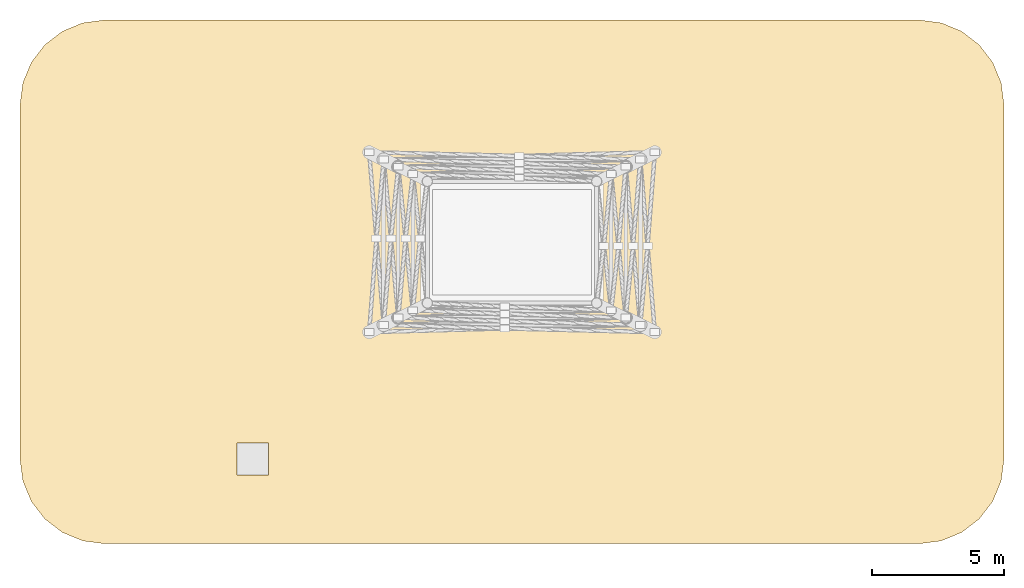
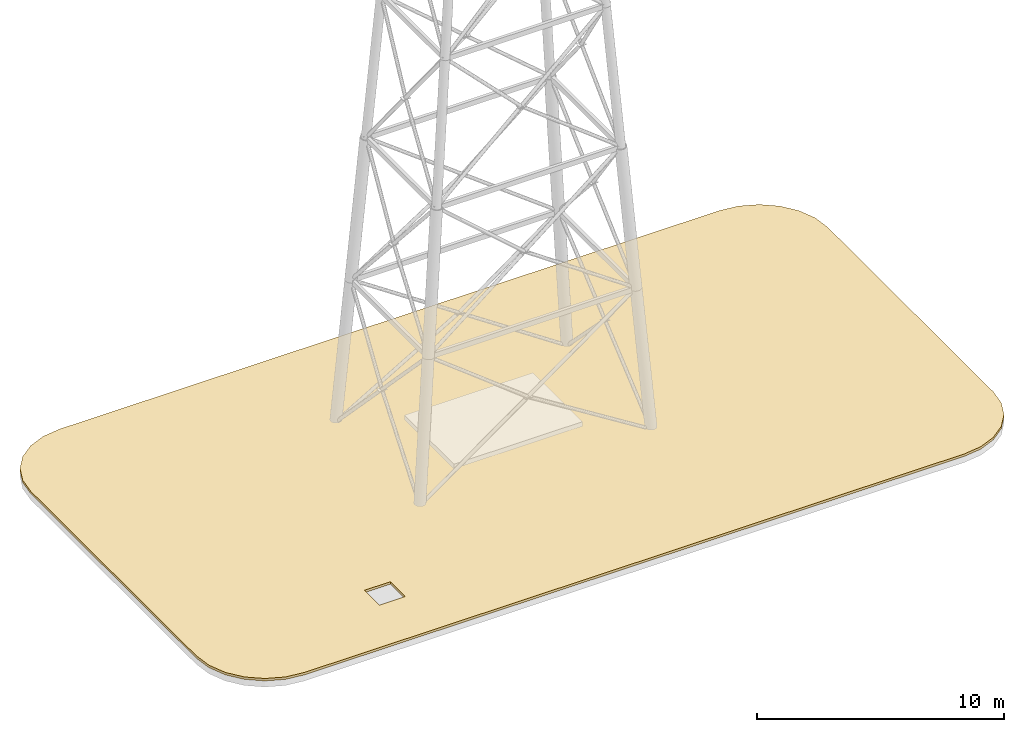
# One storey, part 3 of 3: 1 covering.
"""IFC4 building model written with IfcOpenShell, lengths in metres."""

from ifc_helpers import new_model, si_unit, direction, frame, origin, place, context, subcontext, project, spatial, polyline, outline, extrude, material, layer, layer_set, type_object, element, save


model = new_model("IFC4")

# Units and contexts
model_context = context("Model", 3, precision=1e-05, world=origin(), true_north=direction((0.0, 1.0)))
body_context = subcontext(model_context, "Body", "Model", "MODEL_VIEW")
ifc_project = project(units=[si_unit("LENGTHUNIT", "METRE"), si_unit("AREAUNIT", "SQUARE_METRE"), si_unit("VOLUMEUNIT", "CUBIC_METRE"), si_unit("PLANEANGLEUNIT", "RADIAN"), si_unit("MASSUNIT", "GRAM", prefix="KILO")], contexts=[model_context])

# Site, building, storey
site_placement = place(None, origin())
site = spatial("IfcSite", under=ifc_project, at=site_placement, CompositionType="ELEMENT")
building_placement = place(site_placement, origin())
building = spatial("IfcBuilding", under=site, at=building_placement, Name="Zarnavel Station Tower", CompositionType="ELEMENT")
storey_placement = place(building_placement, frame((0.0, 0.0, 291.60009765625)))
storey = spatial("IfcBuildingStorey", under=building, at=storey_placement, Name="Roof", CompositionType="ELEMENT", Elevation=291.60009765625)

# Covering
ifc_material = material(Name="Inverted Extruded Polystyrene and Bituminous Membrane", Category="concrete")
ifc_layer = layer(ifc_material, 0.1201171875)
ifc_layer_set = layer_set([ifc_layer], Name="COV_ROOF_MEMBRANE")
covering_type = type_object("IfcCoveringType", Name="COV_ROOF_MEMBRANE", PredefinedType="ROOFING", material=ifc_layer_set)
covering_placement = place(storey_placement, origin())
element("IfcCovering", 1, at=covering_placement, inside=storey, type_object=covering_type, Name="Main Crown Drum Insulated Roof Membrane", PredefinedType="ROOFING", context=body_context, shape_type="SweptSolid", body=[
    extrude(outline(polyline([(44.199951171875, 20.800048828125), (45.0283203125, 20.908935546875), (45.800048828125, 21.228759765625), (46.462646484375, 21.7373046875), (46.97119140625, 22.39990234375), (47.291015625, 23.171875), (47.39990234375, 24.0), (47.39990234375, 37.39990234375), (47.291015625, 38.228271484375), (46.97119140625, 39.0), (46.462646484375, 39.66259765625), (45.800048828125, 40.17138671875), (45.0283203125, 40.490966796875), (44.199951171875, 40.60009765625), (13.39990234375, 40.60009765625), (12.57177734375, 40.490966796875), (11.800048828125, 40.17138671875), (11.13720703125, 39.66259765625), (10.628662109375, 39.0), (10.30908203125, 38.228271484375), (10.199951171875, 37.39990234375), (10.199951171875, 24.0), (10.30908203125, 23.171875), (10.628662109375, 22.39990234375), (11.13720703125, 21.7373046875), (11.800048828125, 21.228759765625), (12.57177734375, 20.908935546875), (13.39990234375, 20.800048828125), (44.199951171875, 20.800048828125)]), holes=[polyline([(18.39990234375, 23.39990234375), (19.60009765625, 23.39990234375), (19.60009765625, 24.60009765625), (18.39990234375, 24.60009765625), (18.39990234375, 23.39990234375)])]), origin(), (0.0, 0.0, 1.0), 0.119873046875),
])

save(model, "model.ifc")
